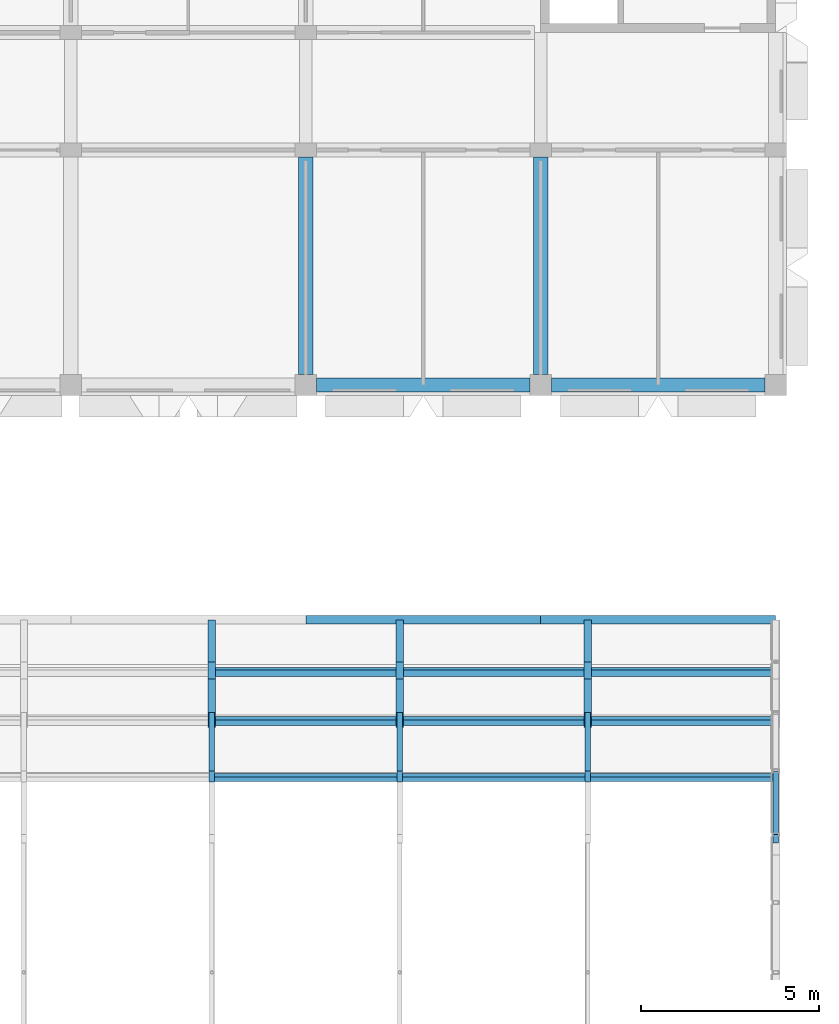
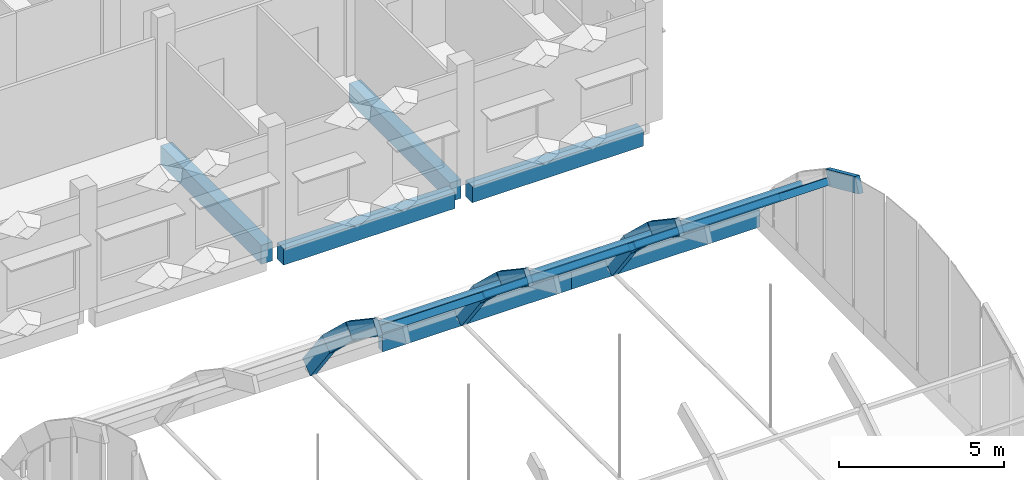
# One storey, part 30 of 102: 19 members, 6 beams.
"""IFC4 building model written with IfcOpenShell, lengths in metres."""

import ifcopenshell
import ifcopenshell.guid

model = None  # the IFC model being written
_history = None  # IfcOwnerHistory: only IFC2X3 demands one
_inside = {}  # id of a spatial element -> (the spatial element, [elements in it])
_under = {}  # id of a project, library or spatial element -> (it, [spatial elements below it])
_declared = {}  # id of a project -> (the project, [libraries it declares])
_typed = {}  # id of a type object -> (the type object, [elements of that type])
_made_of = {}  # id of a material, layer set ... -> (it, [elements and type objects made of it])


def new_model(schema):
    """Start an empty IFC model of exactly this schema.

    Asked for "IFC4X3", IfcOpenShell would pick the latest addendum, in which some entities
    have other attributes; the version numbers below select the first issue.
    IFC2X3 requires an IfcOwnerHistory on every rooted entity: one is made here for all.
    """
    global model, _history
    if schema == "IFC4X3":
        model = ifcopenshell.file(schema_version=(4, 3, 0, 0))
    else:
        model = ifcopenshell.file(schema=schema)
    _inside.clear()
    _under.clear()
    _declared.clear()
    _typed.clear()
    _made_of.clear()
    _history = None
    if model.schema == "IFC2X3":
        org = make("IfcOrganization", Name="unknown")
        user = make(
            "IfcPersonAndOrganization",
            ThePerson=make("IfcPerson", FamilyName="unknown"),
            TheOrganization=org,
        )
        app = make(
            "IfcApplication",
            ApplicationDeveloper=org,
            Version="unknown",
            ApplicationFullName="unknown",
            ApplicationIdentifier="unknown",
        )
        _history = make(
            "IfcOwnerHistory",
            OwningUser=user,
            OwningApplication=app,
            ChangeAction="ADDED",
            CreationDate=0,
        )
    return model


def make(cls, **values):
    """One entity of the class cls with the attributes given. An attribute that is None is left unset."""
    return model.create_entity(
        cls, **{name: value for name, value in values.items() if value is not None}
    )


def rooted(cls, **values):
    """An entity with a GlobalId (a new one), such as an element, a storey or a relation."""
    return make(cls, GlobalId=ifcopenshell.guid.new(), OwnerHistory=_history, **values)


def si_unit(unit_type, name, prefix=None):
    """IfcSIUnit, for example si_unit("LENGTHUNIT", "METRE", prefix="MILLI")."""
    return make("IfcSIUnit", UnitType=unit_type, Prefix=prefix, Name=name)


def assignment(units):
    """IfcUnitAssignment: the units of a project."""
    return None if units is None else make("IfcUnitAssignment", Units=units)


def point(xyz):
    """IfcCartesianPoint."""
    return None if xyz is None else make("IfcCartesianPoint", Coordinates=xyz)


def direction(xyz):
    """IfcDirection."""
    return None if xyz is None else make("IfcDirection", DirectionRatios=xyz)


def frame(location, z_axis=None, x_axis=None):
    """IfcAxis2Placement3D, a coordinate frame: its origin and axes. An axis left out is left unset."""
    return make(
        "IfcAxis2Placement3D",
        Location=point(location),
        Axis=direction(z_axis),
        RefDirection=direction(x_axis),
    )


def frame_2d(location, x_axis=None):
    """IfcAxis2Placement2D, a coordinate frame in the plane: its origin and x axis."""
    return make(
        "IfcAxis2Placement2D", Location=point(location), RefDirection=direction(x_axis)
    )


def origin():
    """The frame at (0, 0, 0) with its axes left unset."""
    return frame((0.0, 0.0, 0.0))


def origin_2d():
    """The frame at (0, 0) in the plane with its x axis left unset."""
    return frame_2d((0.0, 0.0))


def place(relative_to, where):
    """IfcLocalPlacement: puts the frame where relative to a parent placement (None: the world)."""
    return make(
        "IfcLocalPlacement", PlacementRelTo=relative_to, RelativePlacement=where
    )


def context(
    kind, dimensions, precision=None, world=None, true_north=None, identifier=None
):
    """IfcGeometricRepresentationContext, for example the 3D "Model" context."""
    return make(
        "IfcGeometricRepresentationContext",
        ContextIdentifier=identifier,
        ContextType=kind,
        CoordinateSpaceDimension=dimensions,
        Precision=precision,
        WorldCoordinateSystem=world,
        TrueNorth=true_north,
    )


def subcontext(parent, identifier, kind, view, scale=None):
    """IfcGeometricRepresentationSubContext, for example "Body" below "Model"."""
    return make(
        "IfcGeometricRepresentationSubContext",
        ContextIdentifier=identifier,
        ContextType=kind,
        ParentContext=parent,
        TargetScale=scale,
        TargetView=view,
    )


def project(units=None, contexts=None):
    """IfcProject with its units and contexts."""
    return rooted(
        "IfcProject",
        Name="project",
        RepresentationContexts=contexts,
        UnitsInContext=assignment(units),
    )


def spatial(cls, under=None, at=None, **own):
    """A site, building, storey or space (cls), placed at a placement, below another one or the project."""
    s = rooted(cls, ObjectPlacement=at, **own)
    if under is not None:
        _under.setdefault(under.id(), (under, []))[1].append(s)
    return s


def profile(cls, at=None, kind="AREA", **sizes):
    """A parametric profile (cls). Its sizes go by their IFC names, for example OverallWidth=200.0."""
    return make(cls, ProfileType=kind, Position=at, **sizes)


def rectangle(**sizes):
    """IfcRectangleProfileDef."""
    return profile("IfcRectangleProfileDef", **sizes)


def extrude(swept, where, along, depth):
    """IfcExtrudedAreaSolid: the profile swept, set in the frame where, extruded along a direction by depth."""
    return make(
        "IfcExtrudedAreaSolid",
        SweptArea=swept,
        Position=where,
        ExtrudedDirection=direction(along),
        Depth=depth,
    )


def shape(context_of_items, identifier, shape_type, items):
    """IfcShapeRepresentation: the items that make up one representation, for example the "Body"."""
    return make(
        "IfcShapeRepresentation",
        ContextOfItems=context_of_items,
        RepresentationIdentifier=identifier,
        RepresentationType=shape_type,
        Items=items,
    )


def material(Name=None, Category=None):
    """IfcMaterial."""
    return make("IfcMaterial", Name=Name, Category=Category)


def material_profile(
    of_material, cross_section, Name=None, Category=None, Priority=None
):
    """IfcMaterialProfile: a cross section and its material."""
    return make(
        "IfcMaterialProfile",
        Name=Name,
        Material=of_material,
        Profile=cross_section,
        Priority=Priority,
        Category=Category,
    )


def profile_set(profiles, Name=None, composite=None):
    """IfcMaterialProfileSet."""
    return make(
        "IfcMaterialProfileSet",
        Name=Name,
        MaterialProfiles=profiles,
        CompositeProfile=composite,
    )


def made_of(thing, what):
    """Note that an element or type object is made of a material, layer set ...; save() writes the relation."""
    if what is not None:
        _made_of.setdefault(what.id(), (what, []))[1].append(thing)
    return thing


def type_object(cls, material=None, **own):
    """A type object (cls), such as IfcWallType, which elements share."""
    return made_of(rooted(cls, **own), material)


def element(
    cls,
    number,
    at=None,
    inside=None,
    cuts=None,
    type_object=None,
    material=None,
    context=None,
    identifier="Body",
    shape_type=None,
    held_by="IfcProductDefinitionShape",
    body=None,
    shapes=None,
    **own,
):
    """One element of the class cls, such as IfcWall. Its Tag is "e" and its number.

    at: its placement. inside: the storey or other place that contains it. cuts: it is an
    opening in that element (IfcRelVoidsElement). A single representation is given by context,
    identifier, shape_type and body (its items); several are given by shapes. held_by: the class
    of the entity that holds the representations. save() writes the other relations.
    """
    e = rooted(cls, Tag="e%d" % number, ObjectPlacement=at, **own)
    if body is not None:
        shapes = [shape(context, identifier, shape_type, body)]
    if shapes is not None:
        e.Representation = make(held_by, Representations=shapes)
    if inside is not None:
        _inside.setdefault(inside.id(), (inside, []))[1].append(e)
    if cuts is not None:
        rooted(
            "IfcRelVoidsElement", RelatingBuildingElement=cuts, RelatedOpeningElement=e
        )
    if type_object is not None:
        _typed.setdefault(type_object.id(), (type_object, []))[1].append(e)
    return made_of(e, material)


def aggregate(whole, parts):
    """IfcRelAggregates: a whole, such as a stair, and the parts it consists of."""
    return rooted("IfcRelAggregates", RelatingObject=whole, RelatedObjects=parts)


def save(model, path):
    """Write the relations noted so far, then the file.

    IfcRelAggregates (storeys below a building ...), IfcRelContainedInSpatialStructure (elements
    in a storey), IfcRelDefinesByType, IfcRelAssociatesMaterial and IfcRelDeclares: one each for
    every whole, place, type object, material and project.
    """
    for whole, parts in _under.values():
        aggregate(whole, parts)
    for where, things in _inside.values():
        rooted(
            "IfcRelContainedInSpatialStructure",
            RelatedElements=things,
            RelatingStructure=where,
        )
    for kind, things in _typed.values():
        rooted("IfcRelDefinesByType", RelatedObjects=things, RelatingType=kind)
    for what, things in _made_of.values():
        rooted("IfcRelAssociatesMaterial", RelatedObjects=things, RelatingMaterial=what)
    for by, libraries in _declared.values():
        rooted("IfcRelDeclares", RelatingContext=by, RelatedDefinitions=libraries)
    model.write(path)


model = new_model("IFC4")

# Units and contexts
model_context = context("Model", 3, precision=1e-05, world=origin(), true_north=direction((0.0, 1.0)))
body_context = subcontext(model_context, "Body", "Model", "MODEL_VIEW")
ifc_project = project(units=[si_unit("LENGTHUNIT", "METRE"), si_unit("AREAUNIT", "SQUARE_METRE"), si_unit("VOLUMEUNIT", "CUBIC_METRE"), si_unit("PLANEANGLEUNIT", "RADIAN"), si_unit("MASSUNIT", "GRAM", prefix="KILO")], contexts=[model_context])

# Site, building, storey
site_placement = place(None, origin())
site = spatial("IfcSite", under=ifc_project, at=site_placement, CompositionType="ELEMENT")
building_placement = place(site_placement, origin())
building = spatial("IfcBuilding", under=site, at=building_placement, Name="Lantern Court Research Institute", CompositionType="ELEMENT")
storey_placement = place(building_placement, frame((0.0, 0.0, 9.89990234375)))
storey = spatial("IfcBuildingStorey", under=building, at=storey_placement, Name="L02", CompositionType="ELEMENT", Elevation=9.89990234375)

# Members
ifc_material_1 = material(Name="Glued laminated timber GL28h", Category="wood")
ifc_material_profile_1 = material_profile(ifc_material_1, rectangle(XDim=0.159912109375, YDim=0.56005859375, at=origin_2d()), Name="Glulam haunch rib 160 x 560")
ifc_profile_set_1 = profile_set([ifc_material_profile_1], Name="Glued laminated timber GL28h")
member_type_1 = type_object("IfcMemberType", Name="Glulam haunch rib 160 x 560", PredefinedType="RAFTER", material=ifc_profile_set_1)
for number, where, z_axis, x_axis, name in (
    (1, (63.360107421875, 71.50634765625, 4.4404296875), (0.0, 0.830041526637, -0.557701590511), (-1.0, 0.0, 0.0), "Glulam rib"),
    (2, (68.639892578125, 71.50634765625, 4.4404296875), (0.0, 0.830041526637, -0.557701590511), (-1.0, 0.0, 0.0), "Glulam rib"),
    (3, (73.919921875, 71.50634765625, 4.4404296875), (0.0, 0.830041526637, -0.557701590511), (-1.0, 0.0, 0.0), "Glulam rib"),
    (4, (79.199951171875, 69.75244140625, 5.224853515625), (0.0, 0.91202821745, -0.410127456501), (-1.0, 0.0, 0.0), "Glulam rib"),
):
    element("IfcMember", number, at=place(storey_placement, frame(where, z_axis=z_axis, x_axis=x_axis)), inside=storey, type_object=member_type_1, Name=name, PredefinedType="RAFTER", context=body_context, shape_type="SweptSolid", body=[
        extrude(rectangle(XDim=0.159912109375, YDim=0.56005859375, at=origin_2d()), origin(), (0.0, 0.0, 1.0), 1.968505859375),
    ])
ifc_material_2 = material(Name="Glued laminated timber GL28h", Category="wood")
ifc_material_profile_2 = material_profile(ifc_material_2, rectangle(XDim=0.1201171875, YDim=0.239990234375, at=origin_2d()), Name="Glulam purlin 120 x 240")
ifc_profile_set_2 = profile_set([ifc_material_profile_2], Name="Glued laminated timber GL28h")
member_type_2 = type_object("IfcMemberType", Name="Glulam purlin 120 x 240", PredefinedType="PURLIN", material=ifc_profile_set_2)
for number, where, z_axis, x_axis, name in (
    (5, (63.43994140625, 71.47802734375, 4.340576171875), (1.0, 0.0, 0.0), (0.0, 0.874157276961, -0.485642929667), "Glulam purlin"),
    (6, (68.719970703125, 71.47802734375, 4.340576171875), (1.0, 0.0, 0.0), (0.0, 0.874157276961, -0.485642929667), "Glulam purlin"),
    (7, (74.0, 71.47802734375, 4.340576171875), (1.0, 0.0, 0.0), (0.0, 0.874157276961, -0.485642929667), "Glulam purlin"),
):
    element("IfcMember", number, at=place(storey_placement, frame(where, z_axis=z_axis, x_axis=x_axis)), inside=storey, type_object=member_type_2, Name=name, PredefinedType="PURLIN", context=body_context, shape_type="SweptSolid", body=[
        extrude(rectangle(XDim=0.1201171875, YDim=0.239990234375, at=origin_2d()), origin(), (0.0, 0.0, 1.0), 5.1201171875),
    ])
for number, where, z_axis, x_axis, name in (
    (8, (63.4599609375, 73.058837890625, 3.278564453125), (1.0, 0.0, 0.0), (0.0, 0.779999482278, -0.625780159199), "Glulam purlin"),
    (9, (68.739990234375, 73.058837890625, 3.278564453125), (1.0, 0.0, 0.0), (0.0, 0.779999482278, -0.625780159199), "Glulam purlin"),
    (10, (74.02001953125, 73.058837890625, 3.278564453125), (1.0, 0.0, 0.0), (0.0, 0.779999482278, -0.625780159199), "Glulam purlin"),
    (11, (63.4599609375, 74.438232421875, 1.965576171875), (1.0, 0.0, 0.0), (0.0, 0.663608478299, -0.748080067593), "Glulam purlin"),
    (12, (68.739990234375, 74.438232421875, 1.965576171875), (1.0, 0.0, 0.0), (0.0, 0.663608478299, -0.748080067593), "Glulam purlin"),
    (13, (74.02001953125, 74.438232421875, 1.965576171875), (1.0, 0.0, 0.0), (0.0, 0.663608478299, -0.748080067593), "Glulam purlin"),
):
    element("IfcMember", number, at=place(storey_placement, frame(where, z_axis=z_axis, x_axis=x_axis)), inside=storey, type_object=member_type_2, Name=name, PredefinedType="PURLIN", context=body_context, shape_type="SweptSolid", body=[
        extrude(rectangle(XDim=0.1201171875, YDim=0.239990234375, at=origin_2d()), origin(), (0.0, 0.0, 1.0), 5.080078125),
    ])

# Beams
ifc_material_3 = material(Name="Glued laminated timber GL28h", Category="wood")
ifc_material_profile_3 = material_profile(ifc_material_3, rectangle(XDim=0.239990234375, YDim=0.639892578125, at=origin_2d()), Name="Glulam ring beam 240 x 640")
ifc_profile_set_3 = profile_set([ifc_material_profile_3], Name="Glued laminated timber GL28h")
beam_type_1 = type_object("IfcBeamType", Name="Glulam ring beam 240 x 640", PredefinedType="BEAM", material=ifc_profile_set_3)
beam_1_placement = place(storey_placement, frame((66.0, 75.89990234375, 0.320068359375), z_axis=(1.0, 0.0, 0.0), x_axis=(0.0, 1.0, 0.0)))
element("IfcBeam", 14, at=beam_1_placement, inside=storey, type_object=beam_type_1, Name="Glulam ring beam N", PredefinedType="BEAM", context=body_context, shape_type="SweptSolid", body=[
    extrude(rectangle(XDim=0.239990234375, YDim=0.639892578125, at=origin_2d()), origin(), (0.0, 0.0, 1.0), 6.60009765625),
])
beam_2_placement = place(storey_placement, frame((72.60009765625, 75.89990234375, 0.320068359375), z_axis=(1.0, 0.0, 0.0), x_axis=(0.0, 1.0, 0.0)))
element("IfcBeam", 15, at=beam_2_placement, inside=storey, type_object=beam_type_1, Name="Glulam ring beam N", PredefinedType="BEAM", context=body_context, shape_type="SweptSolid", body=[
    extrude(rectangle(XDim=0.239990234375, YDim=0.639892578125, at=origin_2d()), origin(), (0.0, 0.0, 1.0), 6.599853515625),
])

# Members
ifc_material_4 = material(Name="Glued laminated timber GL28h", Category="wood")
ifc_material_profile_4 = material_profile(ifc_material_4, rectangle(XDim=0.199951171875, YDim=0.60009765625, at=origin_2d()), Name="Glulam springing rib 200 x 600")
ifc_profile_set_4 = profile_set([ifc_material_profile_4], Name="Glued laminated timber GL28h")
member_type_3 = type_object("IfcMemberType", Name="Glulam springing rib 200 x 600", PredefinedType="RAFTER", material=ifc_profile_set_4)
for number, where, z_axis, x_axis, name in (
    (16, (63.360107421875, 73.08984375, 3.357666015625), (0.0, 0.72437677669, -0.689404297486), (-1.0, 0.0, 0.0), "Glulam rib"),
    (17, (63.360107421875, 74.482177734375, 2.038330078125), (0.0, 0.598133156131, -0.801396735417), (-1.0, 0.0, 0.0), "Glulam rib"),
    (18, (68.639892578125, 73.08984375, 3.357666015625), (0.0, 0.72437677669, -0.689404297486), (-1.0, 0.0, 0.0), "Glulam rib"),
    (19, (68.639892578125, 74.482177734375, 2.038330078125), (0.0, 0.598133156131, -0.801396735417), (-1.0, 0.0, 0.0), "Glulam rib"),
    (20, (73.919921875, 73.08984375, 3.357666015625), (0.0, 0.72437677669, -0.689404297486), (-1.0, 0.0, 0.0), "Glulam rib"),
    (21, (73.919921875, 74.482177734375, 2.038330078125), (0.0, 0.598133156131, -0.801396735417), (-1.0, 0.0, 0.0), "Glulam rib"),
):
    element("IfcMember", number, at=place(storey_placement, frame(where, z_axis=z_axis, x_axis=x_axis)), inside=storey, type_object=member_type_3, Name=name, PredefinedType="RAFTER", context=body_context, shape_type="SweptSolid", body=[
        extrude(rectangle(XDim=0.199951171875, YDim=0.60009765625, at=origin_2d()), origin(), (0.0, 0.0, 1.0), 1.968505859375),
    ])

# Beams
ifc_material_5 = material(Name="Concrete C40/50", Category="concrete")
ifc_material_profile_5 = material_profile(ifc_material_5, rectangle(XDim=0.39990234375, YDim=0.699951171875, at=origin_2d()), Name="RC beam 400 x 700")
ifc_profile_set_5 = profile_set([ifc_material_profile_5], Name="Concrete C40/50")
beam_type_2 = type_object("IfcBeamType", Name="RC beam 400 x 700", PredefinedType="BEAM", material=ifc_profile_set_5)
for number, where, z_axis, x_axis, name in (
    (22, (66.0, 82.800048828125, -0.599853515625), (0.0, 1.0, 0.0), (-1.0, 0.0, 0.0), "Beam L02 grid 11/J-K"),
    (23, (72.60009765625, 82.800048828125, -0.599853515625), (0.0, 1.0, 0.0), (-1.0, 0.0, 0.0), "Beam L02 grid 12/J-K"),
):
    element("IfcBeam", number, at=place(storey_placement, frame(where, z_axis=z_axis, x_axis=x_axis)), inside=storey, type_object=beam_type_2, Name=name, PredefinedType="BEAM", context=body_context, shape_type="SweptSolid", body=[
        extrude(rectangle(XDim=0.39990234375, YDim=0.699951171875, at=origin_2d()), origin(), (0.0, 0.0, 1.0), 6.099853515625),
    ])
ifc_material_6 = material(Name="Concrete C40/50", Category="concrete")
ifc_material_profile_6 = material_profile(ifc_material_6, rectangle(XDim=0.39990234375, YDim=0.60009765625, at=origin_2d()), Name="RC beam 400 x 600")
ifc_profile_set_6 = profile_set([ifc_material_profile_6], Name="Concrete C40/50")
beam_type_3 = type_object("IfcBeamType", Name="RC edge beam 400 x 600", PredefinedType="BEAM", material=ifc_profile_set_6)
for number, where, z_axis, x_axis, name in (
    (24, (66.300048828125, 82.5, -0.5498046875), (1.0, 0.0, 0.0), (0.0, 1.0, 0.0), "Edge beam L02 grid J/11-12"),
    (25, (72.89990234375, 82.5, -0.5498046875), (1.0, 0.0, 0.0), (0.0, 1.0, 0.0), "Edge beam L02 grid J/12-13"),
):
    element("IfcBeam", number, at=place(storey_placement, frame(where, z_axis=z_axis, x_axis=x_axis)), inside=storey, type_object=beam_type_3, Name=name, PredefinedType="BEAM", context=body_context, shape_type="SweptSolid", body=[
        extrude(rectangle(XDim=0.39990234375, YDim=0.60009765625, at=origin_2d()), origin(), (0.0, 0.0, 1.0), 6.0),
    ])

save(model, "model.ifc")
